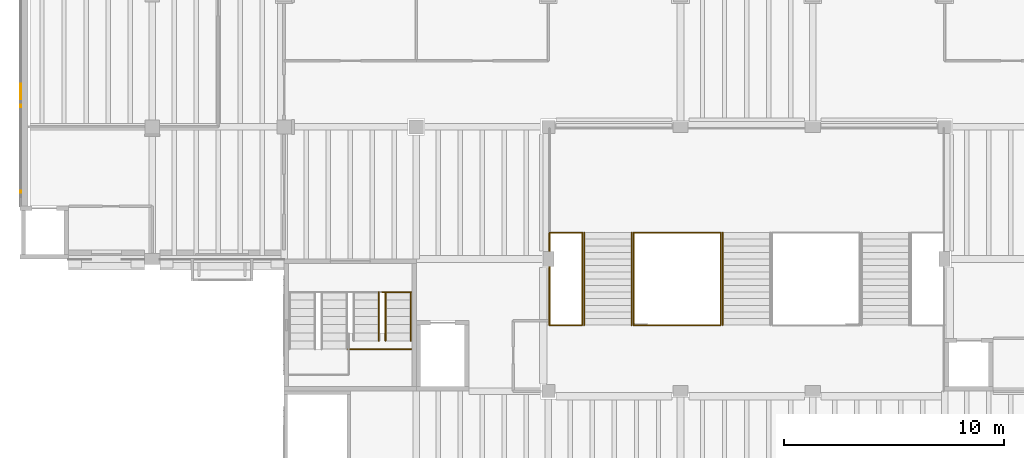
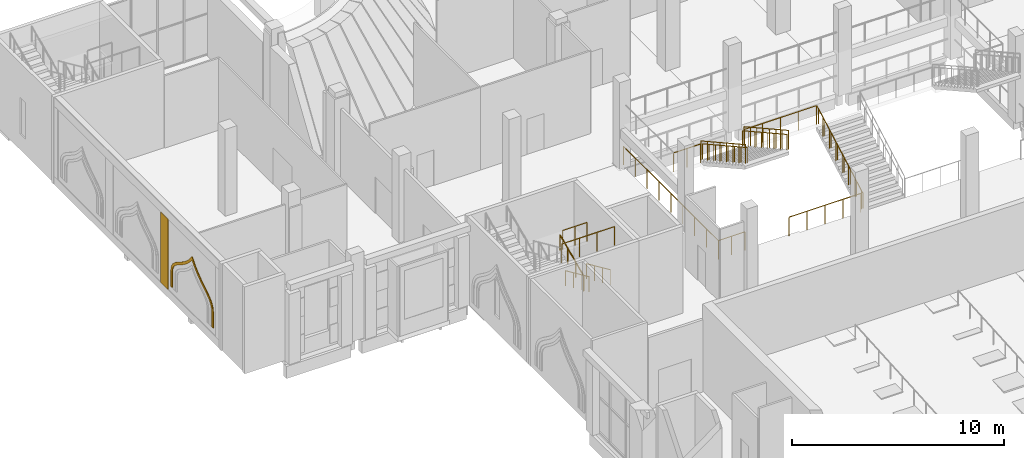
# One storey, part 74 of 80: 16 railings, 2 coverings.
"""IFC4 building model written with IfcOpenShell, lengths in metres."""

from ifc_helpers import new_model, si_unit, direction, frame, origin, origin_2d, place, context, subcontext, project, spatial, polyline, rectangle, circle, outline, extrude, material, layer, layer_set, type_object, element, save


model = new_model("IFC4")

# Units and contexts
model_context = context("Model", 3, precision=1e-05, world=origin(), true_north=direction((0.0, 1.0)))
body_context = subcontext(model_context, "Body", "Model", "MODEL_VIEW")
ifc_project = project(units=[si_unit("LENGTHUNIT", "METRE"), si_unit("AREAUNIT", "SQUARE_METRE"), si_unit("VOLUMEUNIT", "CUBIC_METRE"), si_unit("PLANEANGLEUNIT", "RADIAN"), si_unit("MASSUNIT", "GRAM", prefix="KILO")], contexts=[model_context])

# Site, building, storey
site_placement = place(None, origin())
site = spatial("IfcSite", under=ifc_project, at=site_placement, CompositionType="ELEMENT")
building_placement = place(site_placement, origin())
building = spatial("IfcBuilding", under=site, at=building_placement, Name="Saffron Lane Theatres", CompositionType="ELEMENT")
storey_placement = place(building_placement, frame((0.0, 0.0, 7.0)))
storey = spatial("IfcBuildingStorey", under=building, at=storey_placement, Name="L01", CompositionType="ELEMENT", Elevation=7.0)

# Coverings
ifc_material_1 = material(Name="Face brick cladding, pale buff", Category="masonry")
ifc_layer_1 = layer(ifc_material_1, 0.0400390625)
ifc_layer_set_1 = layer_set([ifc_layer_1], Name="Face brick cladding, pale buff")
covering_type_1 = type_object("IfcCoveringType", Name="EX-FACE BRICK SKIN PALE BUFF 40", PredefinedType="CLADDING", material=ifc_layer_set_1)
covering_1_placement = place(storey_placement, frame((0.0400390625, 109.60009765625, 0.4501953125), z_axis=(0.0, 0.0, 1.0), x_axis=(0.0, 1.0, 0.0)))
element("IfcCovering", 1, at=covering_1_placement, inside=storey, type_object=covering_type_1, Name="Face brick cladding, pale buff L01", PredefinedType="CLADDING", context=body_context, shape_type="SweptSolid", body=[
    extrude(rectangle(XDim=0.699951171875, YDim=0.0400390625, at=origin_2d()), origin(), (0.0, 0.0, 1.0), 4.050048828125),
])
ifc_material_2 = material(Name="Face brick cladding, pale buff", Category="masonry")
ifc_layer_2 = layer(ifc_material_2, 0.0400390625)
ifc_layer_set_2 = layer_set([ifc_layer_2], Name="Face brick cladding, pale buff")
covering_type_2 = type_object("IfcCoveringType", Name="EX-NICHE FRAME RING FACE BRICK PALE BUFF", PredefinedType="CLADDING", material=ifc_layer_set_2)
covering_2_placement = place(storey_placement, frame((0.06005859375, 105.012939453125, 1.81591796875), z_axis=(1.0, 0.0, 0.0), x_axis=(0.0, -0.079210598084, -0.996857904193)))
element("IfcCovering", 2, at=covering_2_placement, inside=storey, type_object=covering_type_2, Name="Court wall niche ring", PredefinedType="CLADDING", context=body_context, shape_type="SweptSolid", body=[
    extrude(outline(polyline([(0.0, 0.0), (0.16335507416867354, 0.0), (1.0137021242782236, 0.0675688060806689), (1.0026211494973927, 0.20702182832244687), (0.1583584371819865, 0.13993648536485087), (0.011950843524533421, 0.13932385549040605), (-0.11423558574229535, 0.1616251883826444), (-0.2258290911267259, 0.20369925081399262), (-0.32921539950943657, 0.2657733616717522), (-0.42787106684260745, 0.3453670814761876), (-0.5227502486483787, 0.4421596826158413), (-0.6178355864273849, 0.5538754220728979), (-0.7152594262107489, 0.6796101325877536), (-0.8163079623447591, 0.8170574214049793), (-0.9263273847760299, 0.962608646798393), (-1.0466619034256186, 1.1146875365478628), (-1.1797065763613368, 1.272613958380628), (-1.3296987298082752, 1.431153010087838), (-1.498848063897249, 1.5903740184569524), (-1.689804321420526, 1.7466376920241753), (-1.8342397504136703, 1.8475745755425927), (-1.7076344413994546, 1.971028069872202), (-1.5436747646685685, 2.1545138187299737), (-1.4017927507209065, 2.338449461950575), (-1.278797178066359, 2.5196598326683595), (-1.1722849613248818, 2.695641868978211), (-1.0774772955735423, 2.8648160147595387), (-0.9918244145451457, 3.0259154141909774), (-0.9137500460195598, 3.177595857351469), (-0.8374051984021744, 3.317138274661287), (-0.7611555838980886, 3.4424683356640764), (-0.6827528253266418, 3.5530299665488463), (-0.5979048647884331, 3.6472049341451607), (-0.5056188697114762, 3.7248272190409444), (-0.40207019069497874, 3.7839965375041507), (-0.28098913200779985, 3.825945811718072), (-0.1363220055934092, 3.848462057651435), (0.7079407067219969, 3.915547400609031), (0.696859731941166, 4.055000422850808), (-0.15348731816838404, 3.98743161677014), (-0.31479250869522846, 3.9616340245229695), (-0.4595034204490672, 3.9119292720593015), (-0.5860131314721546, 3.8396695966124255), (-0.6960912992338517, 3.7486329432210543), (-0.7918589585525908, 3.640854965291698), (-0.8787170310492967, 3.519580156477461), (-0.95829980451887, 3.3868828472346983), (-1.0362628853066922, 3.2430483720254792), (-1.1165469539630926, 3.0914372556524468), (-1.2001448430600579, 2.932215517527675), (-1.2931795674415774, 2.7653864415516223), (-1.396914699028558, 2.594523276301084), (-1.5146107860985691, 2.4205914885108903), (-1.6509886179997748, 2.244440513766335), (-1.8085979609993696, 2.067337207888783), (-2.0535192845146164, 1.8301505645870453), (-1.7742140636864248, 1.6346191039692692), (-1.5906137431904306, 1.4846284100336458), (-1.4281289026432882, 1.332225143894431), (-1.2844418380768778, 1.1790629318714494), (-1.1550251453922646, 1.0267260734970645), (-1.0368890156608002, 0.8776563312011663), (-0.9291179704101897, 0.7326611796187436), (-0.8258984111952106, 0.5956313110375898), (-0.7261988283940308, 0.46591395902209953), (-0.6266586972040081, 0.34744980412260273), (-0.5217384424292987, 0.24141375294762388), (-0.410151869723614, 0.1501121982525921), (-0.2870782132137173, 0.07760185173737502), (-0.1507445315297886, 0.026227783207247793), (0.0, 0.0)])), origin(), (0.0, 0.0, -1.0), 0.0400390625),
])

# Railings
ifc_material_3 = material(Name="Steel Grade 350", Category="steel")
railing_type_1 = type_object("IfcRailingType", Name="VC-GUARD 1100", PredefinedType="GUARDRAIL", material=ifc_material_3)
railing_1_placement = place(storey_placement, frame((17.77001953125, 97.909912109375, 3.666748046875)))
element("IfcRailing", 3, at=railing_1_placement, inside=storey, type_object=railing_type_1, Name="Brick Block West Stair landing guard 2N2s", PredefinedType="GUARDRAIL", context=body_context, shape_type="SweptSolid", body=[
    extrude(circle(Radius=0.02392578125, at=origin_2d()), frame((0.0, 0.0, 1.076171875), z_axis=(-1.0, 0.0, 0.0), x_axis=(0.0, -1.0, 0.0)), (0.0, 0.0, 1.0), 2.8701171875),
    extrude(circle(Radius=0.02099609375, at=origin_2d()), origin(), (0.0, 0.0, 1.0), 1.052001953125),
    extrude(circle(Radius=0.02099609375, at=origin_2d()), frame((-0.956787109375, 0.0, 0.0)), (0.0, 0.0, 1.0), 1.052001953125),
    extrude(circle(Radius=0.02099609375, at=origin_2d()), frame((-1.913330078125, 0.0, 0.0)), (0.0, 0.0, 1.0), 1.052001953125),
    extrude(circle(Radius=0.02099609375, at=origin_2d()), frame((-2.8701171875, 0.0, 0.0)), (0.0, 0.0, 1.0), 1.052001953125),
])
railing_2_placement = place(storey_placement, frame((17.77001953125, 100.5, 2.333251953125)))
element("IfcRailing", 4, at=railing_2_placement, inside=storey, type_object=railing_type_1, Name="Brick Block West Stair landing guard 2S2w", PredefinedType="GUARDRAIL", context=body_context, shape_type="SweptSolid", body=[
    extrude(circle(Radius=0.02392578125, at=origin_2d()), frame((0.0, 0.0, 1.076171875), z_axis=(-1.0, 0.0, 0.0), x_axis=(0.0, -1.0, 0.0)), (0.0, 0.0, 1.0), 1.320068359375),
    extrude(circle(Radius=0.02099609375, at=origin_2d()), origin(), (0.0, 0.0, 1.0), 1.052001953125),
    extrude(circle(Radius=0.02099609375, at=origin_2d()), frame((-0.66015625, 0.0, 0.0)), (0.0, 0.0, 1.0), 1.052001953125),
    extrude(circle(Radius=0.02099609375, at=origin_2d()), frame((-1.320068359375, 0.0, 0.0)), (0.0, 0.0, 1.0), 1.052001953125),
])
railing_3_placement = place(storey_placement, frame((31.830078125, 99.0, 0.166748046875)))
element("IfcRailing", 5, at=railing_3_placement, inside=storey, type_object=railing_type_1, Name="Grand Stair flight guard 2.1a", PredefinedType="GUARDRAIL", context=body_context, shape_type="SweptSolid", body=[
    extrude(circle(Radius=0.02392578125, at=origin_2d()), frame((0.0, 0.0, 1.076171875), z_axis=(0.0, 0.874241147926, 0.485491931212), x_axis=(-1.0, 0.0, 0.0)), (0.0, 0.0, 1.0), 0.6865234375),
    extrude(circle(Radius=0.02392578125, at=origin_2d()), frame((0.0, 0.60009765625, 1.4091796875), z_axis=(0.0, 0.874157276122, 0.485642931179), x_axis=(-1.0, 0.0, 0.0)), (0.0, 0.0, 1.0), 0.686279296875),
    extrude(circle(Radius=0.02392578125, at=origin_2d()), frame((0.0, 1.199951171875, 1.74267578125), z_axis=(0.0, 0.874090171491, 0.485763699861), x_axis=(-1.0, 0.0, 0.0)), (0.0, 0.0, 1.0), 0.6865234375),
    extrude(circle(Radius=0.02392578125, at=origin_2d()), frame((0.0, 1.800048828125, 2.076171875), z_axis=(0.0, 0.874157276122, 0.485642931179), x_axis=(-1.0, 0.0, 0.0)), (0.0, 0.0, 1.0), 0.686279296875),
    extrude(circle(Radius=0.02392578125, at=origin_2d()), frame((0.0, 2.39990234375, 2.4091796875), z_axis=(0.0, 0.874241147926, 0.485491931212), x_axis=(-1.0, 0.0, 0.0)), (0.0, 0.0, 1.0), 0.6865234375),
    extrude(circle(Radius=0.02392578125, at=origin_2d()), frame((0.0, 3.0, 2.74267578125), z_axis=(0.0, 0.874090171491, 0.485763699861), x_axis=(-1.0, 0.0, 0.0)), (0.0, 0.0, 1.0), 0.6865234375),
    extrude(circle(Radius=0.02392578125, at=origin_2d()), frame((0.0, 3.60009765625, 3.076171875), z_axis=(0.0, 0.874157276122, 0.485642931179), x_axis=(-1.0, 0.0, 0.0)), (0.0, 0.0, 1.0), 0.686279296875),
    extrude(circle(Radius=0.02099609375, at=origin_2d()), origin(), (0.0, 0.0, 1.0), 1.052001953125),
    extrude(circle(Radius=0.02099609375, at=origin_2d()), frame((0.0, 0.60009765625, 0.333251953125)), (0.0, 0.0, 1.0), 1.052001953125),
    extrude(circle(Radius=0.02099609375, at=origin_2d()), frame((0.0, 1.199951171875, 0.66650390625)), (0.0, 0.0, 1.0), 1.052001953125),
    extrude(circle(Radius=0.02099609375, at=origin_2d()), frame((0.0, 1.800048828125, 1.0)), (0.0, 0.0, 1.0), 1.052001953125),
    extrude(circle(Radius=0.02099609375, at=origin_2d()), frame((0.0, 2.39990234375, 1.333251953125)), (0.0, 0.0, 1.0), 1.052001953125),
    extrude(circle(Radius=0.02099609375, at=origin_2d()), frame((0.0, 3.0, 1.66650390625)), (0.0, 0.0, 1.0), 1.052001953125),
    extrude(circle(Radius=0.02099609375, at=origin_2d()), frame((0.0, 3.60009765625, 2.0)), (0.0, 0.0, 1.0), 1.052001953125),
    extrude(circle(Radius=0.02099609375, at=origin_2d()), frame((0.0, 4.199951171875, 2.333251953125)), (0.0, 0.0, 1.0), 1.052001953125),
])
railing_4_placement = place(storey_placement, frame((25.530029296875, 103.199951171875, 2.666748046875)))
element("IfcRailing", 6, at=railing_4_placement, inside=storey, type_object=railing_type_1, Name="Grand Stair flight guard 2.2a", PredefinedType="GUARDRAIL", context=body_context, shape_type="SweptSolid", body=[
    extrude(circle(Radius=0.02392578125, at=origin_2d()), frame((0.0, 0.0, 1.076171875), z_axis=(0.0, -0.874157276122, 0.485642931179), x_axis=(1.0, 0.0, 0.0)), (0.0, 0.0, 1.0), 0.686279296875),
    extrude(circle(Radius=0.02392578125, at=origin_2d()), frame((0.0, -0.599853515625, 1.4091796875), z_axis=(0.0, -0.874241147926, 0.485491931212), x_axis=(1.0, 0.0, 0.0)), (0.0, 0.0, 1.0), 0.6865234375),
    extrude(circle(Radius=0.02392578125, at=origin_2d()), frame((0.0, -1.199951171875, 1.74267578125), z_axis=(0.0, -0.874090171491, 0.485763699861), x_axis=(1.0, 0.0, 0.0)), (0.0, 0.0, 1.0), 0.6865234375),
    extrude(circle(Radius=0.02392578125, at=origin_2d()), frame((0.0, -1.800048828125, 2.076171875), z_axis=(0.0, -0.874157276122, 0.485642931179), x_axis=(1.0, 0.0, 0.0)), (0.0, 0.0, 1.0), 0.686279296875),
    extrude(circle(Radius=0.02392578125, at=origin_2d()), frame((0.0, -2.39990234375, 2.4091796875), z_axis=(0.0, -0.874241147926, 0.485491931212), x_axis=(1.0, 0.0, 0.0)), (0.0, 0.0, 1.0), 0.6865234375),
    extrude(circle(Radius=0.02392578125, at=origin_2d()), frame((0.0, -3.0, 2.74267578125), z_axis=(0.0, -0.874006220275, 0.485914732151), x_axis=(1.0, 0.0, 0.0)), (0.0, 0.0, 1.0), 0.686279296875),
    extrude(circle(Radius=0.02392578125, at=origin_2d()), frame((0.0, -3.599853515625, 3.076171875), z_axis=(0.0, -0.874241147926, 0.485491931212), x_axis=(1.0, 0.0, 0.0)), (0.0, 0.0, 1.0), 0.6865234375),
    extrude(circle(Radius=0.02099609375, at=origin_2d()), origin(), (0.0, 0.0, 1.0), 1.052001953125),
    extrude(circle(Radius=0.02099609375, at=origin_2d()), frame((0.0, -0.599853515625, 0.333251953125)), (0.0, 0.0, 1.0), 1.052001953125),
    extrude(circle(Radius=0.02099609375, at=origin_2d()), frame((0.0, -1.199951171875, 0.66650390625)), (0.0, 0.0, 1.0), 1.052001953125),
    extrude(circle(Radius=0.02099609375, at=origin_2d()), frame((0.0, -1.800048828125, 1.0)), (0.0, 0.0, 1.0), 1.052001953125),
    extrude(circle(Radius=0.02099609375, at=origin_2d()), frame((0.0, -2.39990234375, 1.333251953125)), (0.0, 0.0, 1.0), 1.052001953125),
    extrude(circle(Radius=0.02099609375, at=origin_2d()), frame((0.0, -3.0, 1.66650390625)), (0.0, 0.0, 1.0), 1.052001953125),
    extrude(circle(Radius=0.02099609375, at=origin_2d()), frame((0.0, -3.599853515625, 2.0)), (0.0, 0.0, 1.0), 1.052001953125),
    extrude(circle(Radius=0.02099609375, at=origin_2d()), frame((0.0, -4.199951171875, 2.333251953125)), (0.0, 0.0, 1.0), 1.052001953125),
])
railing_5_placement = place(storey_placement, frame((27.8701171875, 103.199951171875, 2.666748046875)))
element("IfcRailing", 7, at=railing_5_placement, inside=storey, type_object=railing_type_1, Name="Grand Stair flight guard 2.2b", PredefinedType="GUARDRAIL", context=body_context, shape_type="SweptSolid", body=[
    extrude(circle(Radius=0.02392578125, at=origin_2d()), frame((0.0, 0.0, 1.076171875), z_axis=(0.0, -0.874157276122, 0.485642931179), x_axis=(1.0, 0.0, 0.0)), (0.0, 0.0, 1.0), 0.686279296875),
    extrude(circle(Radius=0.02392578125, at=origin_2d()), frame((0.0, -0.599853515625, 1.4091796875), z_axis=(0.0, -0.874241147926, 0.485491931212), x_axis=(1.0, 0.0, 0.0)), (0.0, 0.0, 1.0), 0.6865234375),
    extrude(circle(Radius=0.02392578125, at=origin_2d()), frame((0.0, -1.199951171875, 1.74267578125), z_axis=(0.0, -0.874090171491, 0.485763699861), x_axis=(1.0, 0.0, 0.0)), (0.0, 0.0, 1.0), 0.6865234375),
    extrude(circle(Radius=0.02392578125, at=origin_2d()), frame((0.0, -1.800048828125, 2.076171875), z_axis=(0.0, -0.874157276122, 0.485642931179), x_axis=(1.0, 0.0, 0.0)), (0.0, 0.0, 1.0), 0.686279296875),
    extrude(circle(Radius=0.02392578125, at=origin_2d()), frame((0.0, -2.39990234375, 2.4091796875), z_axis=(0.0, -0.874241147926, 0.485491931212), x_axis=(1.0, 0.0, 0.0)), (0.0, 0.0, 1.0), 0.6865234375),
    extrude(circle(Radius=0.02392578125, at=origin_2d()), frame((0.0, -3.0, 2.74267578125), z_axis=(0.0, -0.874006220275, 0.485914732151), x_axis=(1.0, 0.0, 0.0)), (0.0, 0.0, 1.0), 0.686279296875),
    extrude(circle(Radius=0.02392578125, at=origin_2d()), frame((0.0, -3.599853515625, 3.076171875), z_axis=(0.0, -0.874241147926, 0.485491931212), x_axis=(1.0, 0.0, 0.0)), (0.0, 0.0, 1.0), 0.6865234375),
    extrude(circle(Radius=0.02099609375, at=origin_2d()), origin(), (0.0, 0.0, 1.0), 1.052001953125),
    extrude(circle(Radius=0.02099609375, at=origin_2d()), frame((0.0, -0.599853515625, 0.333251953125)), (0.0, 0.0, 1.0), 1.052001953125),
    extrude(circle(Radius=0.02099609375, at=origin_2d()), frame((0.0, -1.199951171875, 0.66650390625)), (0.0, 0.0, 1.0), 1.052001953125),
    extrude(circle(Radius=0.02099609375, at=origin_2d()), frame((0.0, -1.800048828125, 1.0)), (0.0, 0.0, 1.0), 1.052001953125),
    extrude(circle(Radius=0.02099609375, at=origin_2d()), frame((0.0, -2.39990234375, 1.333251953125)), (0.0, 0.0, 1.0), 1.052001953125),
    extrude(circle(Radius=0.02099609375, at=origin_2d()), frame((0.0, -3.0, 1.66650390625)), (0.0, 0.0, 1.0), 1.052001953125),
    extrude(circle(Radius=0.02099609375, at=origin_2d()), frame((0.0, -3.599853515625, 2.0)), (0.0, 0.0, 1.0), 1.052001953125),
    extrude(circle(Radius=0.02099609375, at=origin_2d()), frame((0.0, -4.199951171875, 2.333251953125)), (0.0, 0.0, 1.0), 1.052001953125),
])
railing_6_placement = place(storey_placement, frame((24.050048828125, 103.199951171875, 2.5)))
element("IfcRailing", 8, at=railing_6_placement, inside=storey, type_object=railing_type_1, Name="Grand Stair landing guard 2m-gap1", PredefinedType="GUARDRAIL", context=body_context, shape_type="SweptSolid", body=[
    extrude(circle(Radius=0.02392578125, at=origin_2d()), frame((0.0, 0.0, 1.076171875), z_axis=(1.0, 0.0, 0.0), x_axis=(0.0, 1.0, 0.0)), (0.0, 0.0, 1.0), 1.449951171875),
    extrude(circle(Radius=0.02099609375, at=origin_2d()), origin(), (0.0, 0.0, 1.0), 1.052001953125),
    extrude(circle(Radius=0.02099609375, at=origin_2d()), frame((0.72509765625, 0.0, 0.0)), (0.0, 0.0, 1.0), 1.052001953125),
    extrude(circle(Radius=0.02099609375, at=origin_2d()), frame((1.449951171875, 0.0, 0.0)), (0.0, 0.0, 1.0), 1.052001953125),
])
railing_7_placement = place(storey_placement, frame((27.89990234375, 103.199951171875, 2.5)))
element("IfcRailing", 9, at=railing_7_placement, inside=storey, type_object=railing_type_1, Name="Grand Stair landing guard 2m-gap2", PredefinedType="GUARDRAIL", context=body_context, shape_type="SweptSolid", body=[
    extrude(circle(Radius=0.02392578125, at=origin_2d()), frame((0.0, 0.0, 1.076171875), z_axis=(1.0, 0.0, 0.0), x_axis=(0.0, 1.0, 0.0)), (0.0, 0.0, 1.0), 3.900146484375),
    extrude(circle(Radius=0.02099609375, at=origin_2d()), origin(), (0.0, 0.0, 1.0), 1.052001953125),
    extrude(circle(Radius=0.02099609375, at=origin_2d()), frame((0.97509765625, 0.0, 0.0)), (0.0, 0.0, 1.0), 1.052001953125),
    extrude(circle(Radius=0.02099609375, at=origin_2d()), frame((1.9501953125, 0.0, 0.0)), (0.0, 0.0, 1.0), 1.052001953125),
    extrude(circle(Radius=0.02099609375, at=origin_2d()), frame((2.925048828125, 0.0, 0.0)), (0.0, 0.0, 1.0), 1.052001953125),
    extrude(circle(Radius=0.02099609375, at=origin_2d()), frame((3.900146484375, 0.0, 0.0)), (0.0, 0.0, 1.0), 1.052001953125),
])
railing_8_placement = place(storey_placement, frame((24.050048828125, 99.0, 0.0)))
element("IfcRailing", 10, at=railing_8_placement, inside=storey, type_object=railing_type_1, Name="Grand Stair landing guard 2s-L01-1", PredefinedType="GUARDRAIL", context=body_context, shape_type="SweptSolid", body=[
    extrude(circle(Radius=0.02392578125, at=origin_2d()), frame((0.0, 0.0, 1.076171875), z_axis=(1.0, 0.0, 0.0), x_axis=(0.0, 1.0, 0.0)), (0.0, 0.0, 1.0), 1.449951171875),
    extrude(circle(Radius=0.02099609375, at=origin_2d()), origin(), (0.0, 0.0, 1.0), 1.052001953125),
    extrude(circle(Radius=0.02099609375, at=origin_2d()), frame((0.72509765625, 0.0, 0.0)), (0.0, 0.0, 1.0), 1.052001953125),
    extrude(circle(Radius=0.02099609375, at=origin_2d()), frame((1.449951171875, 0.0, 0.0)), (0.0, 0.0, 1.0), 1.052001953125),
])
railing_9_placement = place(storey_placement, frame((27.89990234375, 99.0, 0.0)))
element("IfcRailing", 11, at=railing_9_placement, inside=storey, type_object=railing_type_1, Name="Grand Stair landing guard 2s-L01-2", PredefinedType="GUARDRAIL", context=body_context, shape_type="SweptSolid", body=[
    extrude(circle(Radius=0.02392578125, at=origin_2d()), frame((0.0, 0.0, 1.076171875), z_axis=(1.0, 0.0, 0.0), x_axis=(0.0, 1.0, 0.0)), (0.0, 0.0, 1.0), 3.900146484375),
    extrude(circle(Radius=0.02099609375, at=origin_2d()), origin(), (0.0, 0.0, 1.0), 1.052001953125),
    extrude(circle(Radius=0.02099609375, at=origin_2d()), frame((0.97509765625, 0.0, 0.0)), (0.0, 0.0, 1.0), 1.052001953125),
    extrude(circle(Radius=0.02099609375, at=origin_2d()), frame((1.9501953125, 0.0, 0.0)), (0.0, 0.0, 1.0), 1.052001953125),
    extrude(circle(Radius=0.02099609375, at=origin_2d()), frame((2.925048828125, 0.0, 0.0)), (0.0, 0.0, 1.0), 1.052001953125),
    extrude(circle(Radius=0.02099609375, at=origin_2d()), frame((3.900146484375, 0.0, 0.0)), (0.0, 0.0, 1.0), 1.052001953125),
])
railing_10_placement = place(storey_placement, frame((24.050048828125, 99.0, 0.0)))
element("IfcRailing", 12, at=railing_10_placement, inside=storey, type_object=railing_type_1, Name="Grand Stair landing guard 2v-w-L01", PredefinedType="GUARDRAIL", context=body_context, shape_type="SweptSolid", body=[
    extrude(circle(Radius=0.02392578125, at=origin_2d()), frame((0.0, 0.0, 1.076171875), z_axis=(0.0, 1.0, 0.0), x_axis=(-1.0, 0.0, 0.0)), (0.0, 0.0, 1.0), 8.949951171875),
    extrude(circle(Radius=0.02099609375, at=origin_2d()), origin(), (0.0, 0.0, 1.0), 1.052001953125),
    extrude(circle(Radius=0.02099609375, at=origin_2d()), frame((0.0, 1.11865234375, 0.0)), (0.0, 0.0, 1.0), 1.052001953125),
    extrude(circle(Radius=0.02099609375, at=origin_2d()), frame((0.0, 2.237548828125, 0.0)), (0.0, 0.0, 1.0), 1.052001953125),
    extrude(circle(Radius=0.02099609375, at=origin_2d()), frame((0.0, 3.356201171875, 0.0)), (0.0, 0.0, 1.0), 1.052001953125),
    extrude(circle(Radius=0.02099609375, at=origin_2d()), frame((0.0, 4.47509765625, 0.0)), (0.0, 0.0, 1.0), 1.052001953125),
    extrude(circle(Radius=0.02099609375, at=origin_2d()), frame((0.0, 5.59375, 0.0)), (0.0, 0.0, 1.0), 1.052001953125),
    extrude(circle(Radius=0.02099609375, at=origin_2d()), frame((0.0, 6.71240234375, 0.0)), (0.0, 0.0, 1.0), 1.052001953125),
    extrude(circle(Radius=0.02099609375, at=origin_2d()), frame((0.0, 7.831298828125, 0.0)), (0.0, 0.0, 1.0), 1.052001953125),
    extrude(circle(Radius=0.02099609375, at=origin_2d()), frame((0.0, 8.949951171875, 0.0)), (0.0, 0.0, 1.0), 1.052001953125),
])
ifc_material_4 = material(Name="Steel Grade 350", Category="steel")
railing_type_2 = type_object("IfcRailingType", Name="VC-HANDRAIL 900", PredefinedType="HANDRAIL", material=ifc_material_4)
for number, where, name in (
    (13, (17.75, 100.5, 0.166748046875), "Brick Block West Stair handrail 2.1a"),
    (14, (16.60009765625, 100.5, 0.166748046875), "Brick Block West Stair handrail 2.1b"),
):
    element("IfcRailing", number, at=place(storey_placement, frame(where)), inside=storey, type_object=railing_type_2, Name=name, PredefinedType="HANDRAIL", context=body_context, shape_type="SweptSolid", body=[
        extrude(circle(Radius=0.02392578125, at=origin_2d()), frame((0.0, 0.0, 0.8759765625), z_axis=(0.0, -0.911803263409, 0.410627335715), x_axis=(1.0, 0.0, 0.0)), (0.0, 0.0, 1.0), 0.8115234375),
        extrude(circle(Radius=0.02392578125, at=origin_2d()), frame((0.0, -0.739990234375, 1.208984375), z_axis=(0.0, -0.911803263409, 0.410627335715), x_axis=(1.0, 0.0, 0.0)), (0.0, 0.0, 1.0), 0.8115234375),
        extrude(circle(Radius=0.02392578125, at=origin_2d()), frame((0.0, -1.47998046875, 1.54248046875), z_axis=(0.0, -0.911690610408, 0.410877391559), x_axis=(1.0, 0.0, 0.0)), (0.0, 0.0, 1.0), 0.811767578125),
        extrude(circle(Radius=0.02099609375, at=origin_2d()), origin(), (0.0, 0.0, 1.0), 0.851806640625),
        extrude(circle(Radius=0.02099609375, at=origin_2d()), frame((0.0, -0.739990234375, 0.333251953125)), (0.0, 0.0, 1.0), 0.851806640625),
        extrude(circle(Radius=0.02099609375, at=origin_2d()), frame((0.0, -1.47998046875, 0.66650390625)), (0.0, 0.0, 1.0), 0.851806640625),
        extrude(circle(Radius=0.02099609375, at=origin_2d()), frame((0.0, -2.219970703125, 1.0)), (0.0, 0.0, 1.0), 0.851806640625),
    ])
railing_11_placement = place(storey_placement, frame((16.300048828125, 98.280029296875, 1.333251953125)))
element("IfcRailing", 15, at=railing_11_placement, inside=storey, type_object=railing_type_2, Name="Brick Block West Stair handrail 2.2a", PredefinedType="HANDRAIL", context=body_context, shape_type="SweptSolid", body=[
    extrude(circle(Radius=0.02392578125, at=origin_2d()), frame((0.0, 0.0, 0.8759765625), z_axis=(0.0, 0.911690610408, 0.410877391559), x_axis=(-1.0, 0.0, 0.0)), (0.0, 0.0, 1.0), 0.811767578125),
    extrude(circle(Radius=0.02392578125, at=origin_2d()), frame((0.0, 0.739990234375, 1.20947265625), z_axis=(0.0, 0.911803263409, 0.410627335715), x_axis=(-1.0, 0.0, 0.0)), (0.0, 0.0, 1.0), 0.8115234375),
    extrude(circle(Radius=0.02392578125, at=origin_2d()), frame((0.0, 1.47998046875, 1.54248046875), z_axis=(0.0, 0.911803263409, 0.410627335715), x_axis=(-1.0, 0.0, 0.0)), (0.0, 0.0, 1.0), 0.8115234375),
    extrude(circle(Radius=0.02099609375, at=origin_2d()), origin(), (0.0, 0.0, 1.0), 0.851806640625),
    extrude(circle(Radius=0.02099609375, at=origin_2d()), frame((0.0, 0.739990234375, 0.33349609375)), (0.0, 0.0, 1.0), 0.851806640625),
    extrude(circle(Radius=0.02099609375, at=origin_2d()), frame((0.0, 1.47998046875, 0.666748046875)), (0.0, 0.0, 1.0), 0.851806640625),
    extrude(circle(Radius=0.02099609375, at=origin_2d()), frame((0.0, 2.219970703125, 1.0)), (0.0, 0.0, 1.0), 0.851806640625),
])
railing_12_placement = place(storey_placement, frame((31.919921875, 99.0, 0.166748046875)))
element("IfcRailing", 16, at=railing_12_placement, inside=storey, type_object=railing_type_2, Name="Grand Stair handrail 2.1a", PredefinedType="HANDRAIL", context=body_context, shape_type="SweptSolid", body=[
    extrude(circle(Radius=0.02392578125, at=origin_2d()), frame((0.0, 0.0, 0.8759765625), z_axis=(0.0, 0.874241147926, 0.485491931212), x_axis=(-1.0, 0.0, 0.0)), (0.0, 0.0, 1.0), 0.6865234375),
    extrude(circle(Radius=0.02392578125, at=origin_2d()), frame((0.0, 0.60009765625, 1.208984375), z_axis=(0.0, 0.874157276122, 0.485642931179), x_axis=(-1.0, 0.0, 0.0)), (0.0, 0.0, 1.0), 0.686279296875),
    extrude(circle(Radius=0.02392578125, at=origin_2d()), frame((0.0, 1.199951171875, 1.54248046875), z_axis=(0.0, 0.874090171491, 0.485763699861), x_axis=(-1.0, 0.0, 0.0)), (0.0, 0.0, 1.0), 0.6865234375),
    extrude(circle(Radius=0.02392578125, at=origin_2d()), frame((0.0, 1.800048828125, 1.8759765625), z_axis=(0.0, 0.874157276122, 0.485642931179), x_axis=(-1.0, 0.0, 0.0)), (0.0, 0.0, 1.0), 0.686279296875),
    extrude(circle(Radius=0.02392578125, at=origin_2d()), frame((0.0, 2.39990234375, 2.208984375), z_axis=(0.0, 0.874241147926, 0.485491931212), x_axis=(-1.0, 0.0, 0.0)), (0.0, 0.0, 1.0), 0.6865234375),
    extrude(circle(Radius=0.02392578125, at=origin_2d()), frame((0.0, 3.0, 2.54248046875), z_axis=(0.0, 0.874090171491, 0.485763699861), x_axis=(-1.0, 0.0, 0.0)), (0.0, 0.0, 1.0), 0.6865234375),
    extrude(circle(Radius=0.02392578125, at=origin_2d()), frame((0.0, 3.60009765625, 2.8759765625), z_axis=(0.0, 0.874157276122, 0.485642931179), x_axis=(-1.0, 0.0, 0.0)), (0.0, 0.0, 1.0), 0.686279296875),
    extrude(circle(Radius=0.02099609375, at=origin_2d()), origin(), (0.0, 0.0, 1.0), 0.851806640625),
    extrude(circle(Radius=0.02099609375, at=origin_2d()), frame((0.0, 0.60009765625, 0.333251953125)), (0.0, 0.0, 1.0), 0.851806640625),
    extrude(circle(Radius=0.02099609375, at=origin_2d()), frame((0.0, 1.199951171875, 0.66650390625)), (0.0, 0.0, 1.0), 0.851806640625),
    extrude(circle(Radius=0.02099609375, at=origin_2d()), frame((0.0, 1.800048828125, 1.0)), (0.0, 0.0, 1.0), 0.851806640625),
    extrude(circle(Radius=0.02099609375, at=origin_2d()), frame((0.0, 2.39990234375, 1.333251953125)), (0.0, 0.0, 1.0), 0.851806640625),
    extrude(circle(Radius=0.02099609375, at=origin_2d()), frame((0.0, 3.0, 1.66650390625)), (0.0, 0.0, 1.0), 0.851806640625),
    extrude(circle(Radius=0.02099609375, at=origin_2d()), frame((0.0, 3.60009765625, 2.0)), (0.0, 0.0, 1.0), 0.851806640625),
    extrude(circle(Radius=0.02099609375, at=origin_2d()), frame((0.0, 4.199951171875, 2.333251953125)), (0.0, 0.0, 1.0), 0.851806640625),
])
railing_13_placement = place(storey_placement, frame((25.6201171875, 103.199951171875, 2.666748046875)))
element("IfcRailing", 17, at=railing_13_placement, inside=storey, type_object=railing_type_2, Name="Grand Stair handrail 2.2a", PredefinedType="HANDRAIL", context=body_context, shape_type="SweptSolid", body=[
    extrude(circle(Radius=0.02392578125, at=origin_2d()), frame((0.0, 0.0, 0.8759765625), z_axis=(0.0, -0.874157276122, 0.485642931179), x_axis=(1.0, 0.0, 0.0)), (0.0, 0.0, 1.0), 0.686279296875),
    extrude(circle(Radius=0.02392578125, at=origin_2d()), frame((0.0, -0.599853515625, 1.208984375), z_axis=(0.0, -0.874241147926, 0.485491931212), x_axis=(1.0, 0.0, 0.0)), (0.0, 0.0, 1.0), 0.6865234375),
    extrude(circle(Radius=0.02392578125, at=origin_2d()), frame((0.0, -1.199951171875, 1.54248046875), z_axis=(0.0, -0.874090171491, 0.485763699861), x_axis=(1.0, 0.0, 0.0)), (0.0, 0.0, 1.0), 0.6865234375),
    extrude(circle(Radius=0.02392578125, at=origin_2d()), frame((0.0, -1.800048828125, 1.8759765625), z_axis=(0.0, -0.874157276122, 0.485642931179), x_axis=(1.0, 0.0, 0.0)), (0.0, 0.0, 1.0), 0.686279296875),
    extrude(circle(Radius=0.02392578125, at=origin_2d()), frame((0.0, -2.39990234375, 2.208984375), z_axis=(0.0, -0.874241147926, 0.485491931212), x_axis=(1.0, 0.0, 0.0)), (0.0, 0.0, 1.0), 0.6865234375),
    extrude(circle(Radius=0.02392578125, at=origin_2d()), frame((0.0, -3.0, 2.54248046875), z_axis=(0.0, -0.874006220275, 0.485914732151), x_axis=(1.0, 0.0, 0.0)), (0.0, 0.0, 1.0), 0.686279296875),
    extrude(circle(Radius=0.02392578125, at=origin_2d()), frame((0.0, -3.599853515625, 2.8759765625), z_axis=(0.0, -0.874241147926, 0.485491931212), x_axis=(1.0, 0.0, 0.0)), (0.0, 0.0, 1.0), 0.6865234375),
    extrude(circle(Radius=0.02099609375, at=origin_2d()), origin(), (0.0, 0.0, 1.0), 0.851806640625),
    extrude(circle(Radius=0.02099609375, at=origin_2d()), frame((0.0, -0.599853515625, 0.333251953125)), (0.0, 0.0, 1.0), 0.851806640625),
    extrude(circle(Radius=0.02099609375, at=origin_2d()), frame((0.0, -1.199951171875, 0.66650390625)), (0.0, 0.0, 1.0), 0.851806640625),
    extrude(circle(Radius=0.02099609375, at=origin_2d()), frame((0.0, -1.800048828125, 1.0)), (0.0, 0.0, 1.0), 0.851806640625),
    extrude(circle(Radius=0.02099609375, at=origin_2d()), frame((0.0, -2.39990234375, 1.333251953125)), (0.0, 0.0, 1.0), 0.851806640625),
    extrude(circle(Radius=0.02099609375, at=origin_2d()), frame((0.0, -3.0, 1.66650390625)), (0.0, 0.0, 1.0), 0.851806640625),
    extrude(circle(Radius=0.02099609375, at=origin_2d()), frame((0.0, -3.599853515625, 2.0)), (0.0, 0.0, 1.0), 0.851806640625),
    extrude(circle(Radius=0.02099609375, at=origin_2d()), frame((0.0, -4.199951171875, 2.333251953125)), (0.0, 0.0, 1.0), 0.851806640625),
])
railing_14_placement = place(storey_placement, frame((27.780029296875, 103.199951171875, 2.666748046875)))
element("IfcRailing", 18, at=railing_14_placement, inside=storey, type_object=railing_type_2, Name="Grand Stair handrail 2.2b", PredefinedType="HANDRAIL", context=body_context, shape_type="SweptSolid", body=[
    extrude(circle(Radius=0.02392578125, at=origin_2d()), frame((0.0, 0.0, 0.8759765625), z_axis=(0.0, -0.874157276122, 0.485642931179), x_axis=(1.0, 0.0, 0.0)), (0.0, 0.0, 1.0), 0.686279296875),
    extrude(circle(Radius=0.02392578125, at=origin_2d()), frame((0.0, -0.599853515625, 1.208984375), z_axis=(0.0, -0.874241147926, 0.485491931212), x_axis=(1.0, 0.0, 0.0)), (0.0, 0.0, 1.0), 0.6865234375),
    extrude(circle(Radius=0.02392578125, at=origin_2d()), frame((0.0, -1.199951171875, 1.54248046875), z_axis=(0.0, -0.874090171491, 0.485763699861), x_axis=(1.0, 0.0, 0.0)), (0.0, 0.0, 1.0), 0.6865234375),
    extrude(circle(Radius=0.02392578125, at=origin_2d()), frame((0.0, -1.800048828125, 1.8759765625), z_axis=(0.0, -0.874157276122, 0.485642931179), x_axis=(1.0, 0.0, 0.0)), (0.0, 0.0, 1.0), 0.686279296875),
    extrude(circle(Radius=0.02392578125, at=origin_2d()), frame((0.0, -2.39990234375, 2.208984375), z_axis=(0.0, -0.874241147926, 0.485491931212), x_axis=(1.0, 0.0, 0.0)), (0.0, 0.0, 1.0), 0.6865234375),
    extrude(circle(Radius=0.02392578125, at=origin_2d()), frame((0.0, -3.0, 2.54248046875), z_axis=(0.0, -0.874006220275, 0.485914732151), x_axis=(1.0, 0.0, 0.0)), (0.0, 0.0, 1.0), 0.686279296875),
    extrude(circle(Radius=0.02392578125, at=origin_2d()), frame((0.0, -3.599853515625, 2.8759765625), z_axis=(0.0, -0.874241147926, 0.485491931212), x_axis=(1.0, 0.0, 0.0)), (0.0, 0.0, 1.0), 0.6865234375),
    extrude(circle(Radius=0.02099609375, at=origin_2d()), origin(), (0.0, 0.0, 1.0), 0.851806640625),
    extrude(circle(Radius=0.02099609375, at=origin_2d()), frame((0.0, -0.599853515625, 0.333251953125)), (0.0, 0.0, 1.0), 0.851806640625),
    extrude(circle(Radius=0.02099609375, at=origin_2d()), frame((0.0, -1.199951171875, 0.66650390625)), (0.0, 0.0, 1.0), 0.851806640625),
    extrude(circle(Radius=0.02099609375, at=origin_2d()), frame((0.0, -1.800048828125, 1.0)), (0.0, 0.0, 1.0), 0.851806640625),
    extrude(circle(Radius=0.02099609375, at=origin_2d()), frame((0.0, -2.39990234375, 1.333251953125)), (0.0, 0.0, 1.0), 0.851806640625),
    extrude(circle(Radius=0.02099609375, at=origin_2d()), frame((0.0, -3.0, 1.66650390625)), (0.0, 0.0, 1.0), 0.851806640625),
    extrude(circle(Radius=0.02099609375, at=origin_2d()), frame((0.0, -3.599853515625, 2.0)), (0.0, 0.0, 1.0), 0.851806640625),
    extrude(circle(Radius=0.02099609375, at=origin_2d()), frame((0.0, -4.199951171875, 2.333251953125)), (0.0, 0.0, 1.0), 0.851806640625),
])

save(model, "model.ifc")
